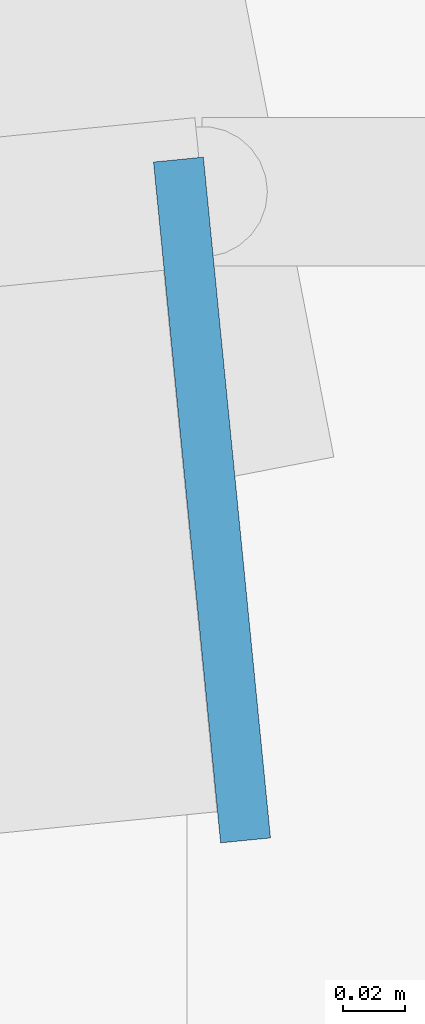
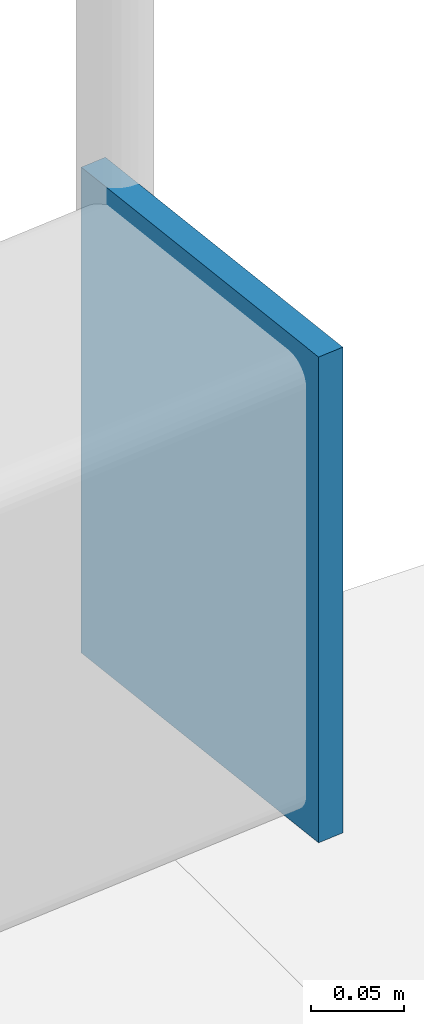
# One storey, part 41 of 58: 1 plate.
"""IFC4 building model written with IfcOpenShell, lengths in metres."""

from ifc_helpers import new_model, si_unit, direction, frame, origin, origin_2d, place, context, subcontext, project, spatial, rectangle, extrude, material, layer, layer_set, type_object, element, save


model = new_model("IFC4")

# Units and contexts
model_context = context("Model", 3, precision=1e-05, world=origin(), true_north=direction((0.0, 1.0)))
body_context = subcontext(model_context, "Body", "Model", "MODEL_VIEW")
ifc_project = project(units=[si_unit("LENGTHUNIT", "METRE"), si_unit("AREAUNIT", "SQUARE_METRE"), si_unit("VOLUMEUNIT", "CUBIC_METRE"), si_unit("PLANEANGLEUNIT", "RADIAN"), si_unit("MASSUNIT", "GRAM", prefix="KILO")], contexts=[model_context])

# Site, building, storey
site_placement = place(None, origin())
site = spatial("IfcSite", under=ifc_project, at=site_placement, CompositionType="ELEMENT")
building_placement = place(site_placement, origin())
building = spatial("IfcBuilding", under=site, at=building_placement, Name="Yeouljin Market Hall", CompositionType="ELEMENT")
storey_placement = place(building_placement, frame((0.0, 0.0, 10.800048828125)))
storey = spatial("IfcBuildingStorey", under=building, at=storey_placement, Name="L02", CompositionType="ELEMENT", Elevation=10.800048828125)

# Plate
ifc_material = material(Name="Steel SM355", Category="steel")
ifc_layer = layer(ifc_material, 0.01611328125)
ifc_layer_set = layer_set([ifc_layer], Name="Steel SM355")
plate_type = type_object("IfcPlateType", Name="CapPlate_320x220x16", PredefinedType="SHEET", material=ifc_layer_set)
plate_placement = place(storey_placement, frame((35.407958984375, 77.80078125, 0.08984375), z_axis=(0.0, 0.0, 1.0), x_axis=(-0.098103986207, 0.995176169274, 0.0)))
element("IfcPlate", 1, at=plate_placement, inside=storey, type_object=plate_type, Name="Apse eaves ring end-cap plate west 16", PredefinedType="SHEET", context=body_context, shape_type="SweptSolid", body=[
    extrude(rectangle(XDim=0.219970703125, YDim=0.01611328125, at=origin_2d()), origin(), (0.0, 0.0, 1.0), 0.320068359375),
])

save(model, "model.ifc")
